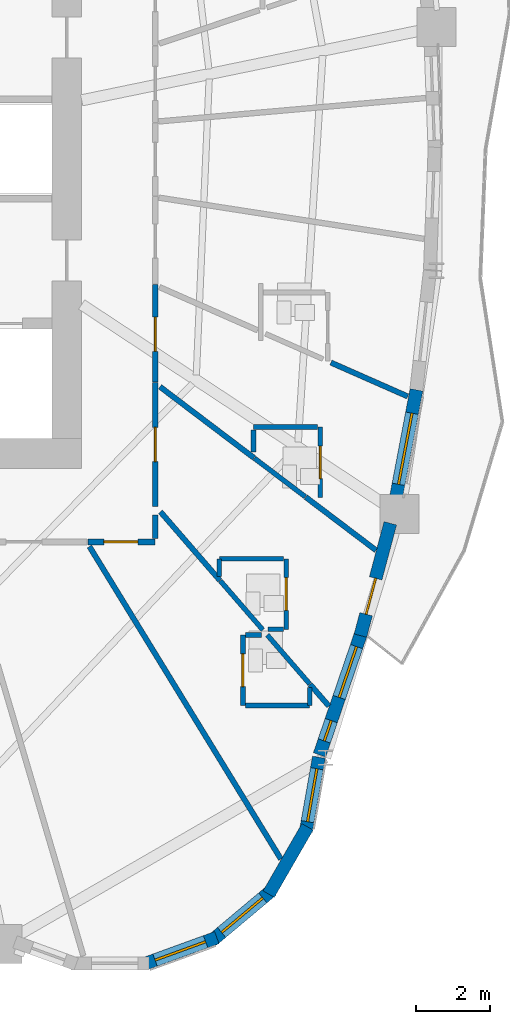
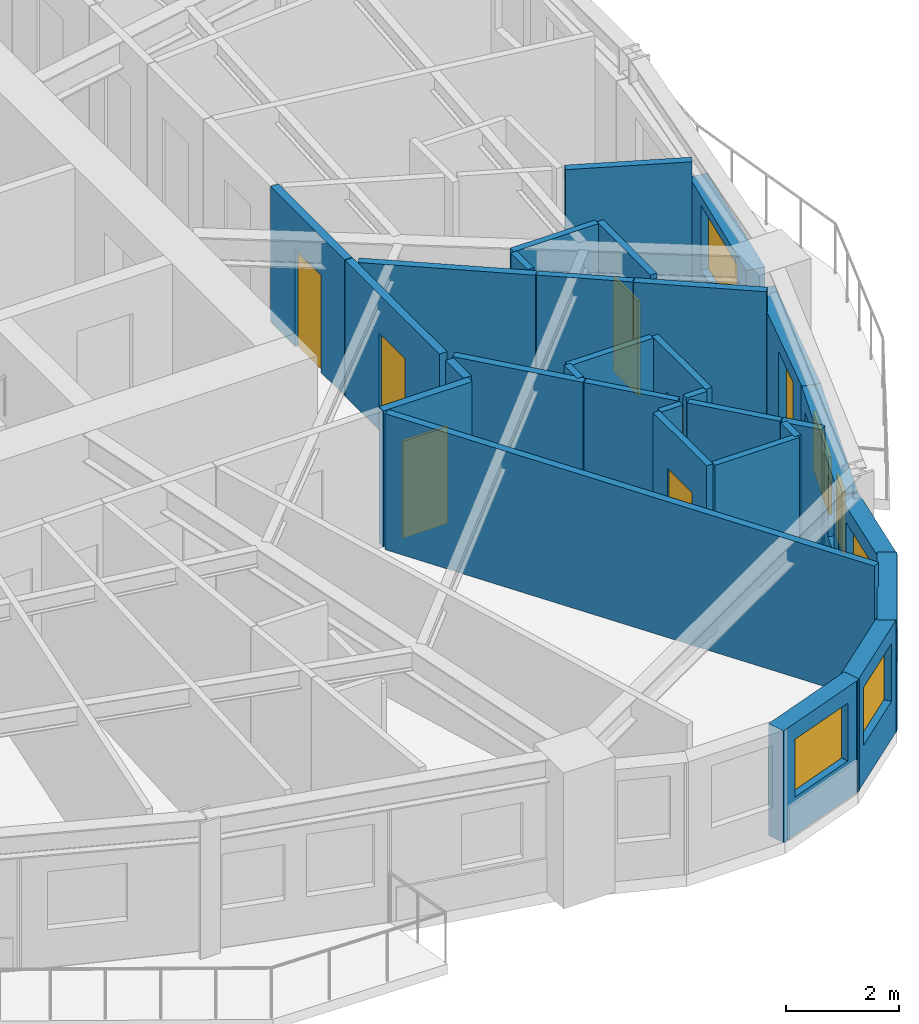
# One storey, part 6 of 13: 31 walls, 7 doors, 6 windows, 13 openings.
"""IFC4 building model written with IfcOpenShell, lengths in metres."""

from ifc_helpers import new_model, si_unit, direction, frame, frame_2d, origin, place, context, subcontext, project, spatial, rectangle, extrude, source, transform, mapped, material, layer, layer_set, type_object, element, fill, save


model = new_model("IFC4")

# Units and contexts
model_context = context("Model", 3, precision=1e-05, world=origin(), true_north=direction((0.0, 1.0)))
body_context = subcontext(model_context, "Body", "Model", "MODEL_VIEW")
ifc_project = project(units=[si_unit("LENGTHUNIT", "METRE"), si_unit("AREAUNIT", "SQUARE_METRE"), si_unit("VOLUMEUNIT", "CUBIC_METRE"), si_unit("PLANEANGLEUNIT", "RADIAN"), si_unit("MASSUNIT", "GRAM", prefix="KILO")], contexts=[model_context])

# Site, building, storey
site_placement = place(None, origin())
site = spatial("IfcSite", under=ifc_project, at=site_placement, CompositionType="ELEMENT")
building_placement = place(site_placement, origin())
building = spatial("IfcBuilding", under=site, at=building_placement, Name="Qafzar Sky-Pleat Residences", CompositionType="ELEMENT")
storey_placement = place(building_placement, frame((0.0, 0.0, 55.800048828125)))
storey = spatial("IfcBuildingStorey", under=building, at=storey_placement, Name="L16", CompositionType="ELEMENT", Elevation=55.800048828125)

# Wall, opening, door
ifc_material_1 = material(Name="Acoustic gypsum plasterboard partition", Category="gypsum")
ifc_layer_1 = layer(ifc_material_1, 0.159912109375)
ifc_layer_set_1 = layer_set([ifc_layer_1], Name="Acoustic gypsum plasterboard partition")
wall_type_1 = type_object("IfcWallType", Name="PART-COR-160", PredefinedType="PARTITIONING", material=ifc_layer_set_1)
wall_1_placement = place(storey_placement, frame((38.679931640625, 19.712890625, 0.0), z_axis=(0.0, 0.0, 1.0), x_axis=(0.0, -1.0, 0.0)))
wall_1 = element("IfcWall", 1, at=wall_1_placement, inside=storey, type_object=wall_type_1, Name="L16 Partition Wall PART-L16-PW-008", PredefinedType="PARTITIONING", context=body_context, shape_type="SweptSolid", body=[
    extrude(rectangle(XDim=3.343994140625, YDim=0.159912109375, at=frame_2d((1.671875, 0.0))), origin(), (0.0, 0.0, 1.0), 2.93994140625),
])
opening_1_placement = place(wall_1_placement, frame((1.2099609375, 0.0, 0.0)))
opening_1 = element("IfcOpeningElement", 2, at=opening_1_placement, cuts=wall_1, Name="Opening ID-04", PredefinedType="OPENING", context=body_context, shape_type="SweptSolid", body=[
    extrude(rectangle(XDim=0.919921875, YDim=2.10009765625, at=frame_2d((0.4599609375, 1.050048828125))), frame((0.0, 0.08984375, 0.0), z_axis=(0.0, -1.0, 0.0), x_axis=(1.0, 0.0, 0.0)), (0.0, 0.0, 1.0), 0.179931640625),
])
ifc_material_2 = material(Name="Timber-faced fire door", Category="wood")
door_type_1 = type_object("IfcDoorType", Name="DR-BED-920", OperationType="NOTDEFINED", PredefinedType="DOOR", material=ifc_material_2)
shared_shape_1 = source(origin(), body_context, "Body", "SweptSolid", [
    extrude(rectangle(XDim=0.919921875, YDim=2.10009765625, at=frame_2d((0.4599609375, 1.050048828125))), frame((0.0, 0.02490234375, 0.0), z_axis=(0.0, -1.0, 0.0), x_axis=(1.0, 0.0, 0.0)), (0.0, 0.0, 1.0), 0.050048828125),
])
door_1_placement = place(opening_1_placement, origin())
door_1 = element("IfcDoor", 3, at=door_1_placement, inside=storey, type_object=door_type_1, Name="L16 Co-Living Bedroom 2 Door", OperationType="SINGLE_SWING_RIGHT", OverallHeight=2.10009765625, OverallWidth=0.919921875, PredefinedType="DOOR", context=body_context, shape_type="MappedRepresentation", body=[
    mapped(shared_shape_1, transform((0.0, 0.0, 0.0), x_axis=(1.0, 0.0, 0.0), y_axis=(0.0, 1.0, 0.0), z_axis=(0.0, 0.0, 1.0), scale=1.0)),
])
fill(opening_1, door_1)

wall_2_placement = place(storey_placement, frame((38.679931640625, 22.347900390625, 0.0), z_axis=(0.0, 0.0, 1.0), x_axis=(0.0, -1.0, 0.0)))
wall_2 = element("IfcWall", 4, at=wall_2_placement, inside=storey, type_object=wall_type_1, Name="L16 Partition Wall PART-L16-PW-013", PredefinedType="PARTITIONING", context=body_context, shape_type="SweptSolid", body=[
    extrude(rectangle(XDim=2.619873046875, YDim=0.159912109375, at=frame_2d((1.31005859375, 0.0))), origin(), (0.0, 0.0, 1.0), 2.93994140625),
])
opening_2_placement = place(wall_2_placement, frame((0.87548828125, 0.0, 0.0)))
opening_2 = element("IfcOpeningElement", 5, at=opening_2_placement, cuts=wall_2, Name="Opening ID-04", PredefinedType="OPENING", context=body_context, shape_type="SweptSolid", body=[
    extrude(rectangle(XDim=0.919921875, YDim=2.10009765625, at=frame_2d((0.4599609375, 1.050048828125))), frame((0.0, 0.08984375, 0.0), z_axis=(0.0, -1.0, 0.0), x_axis=(1.0, 0.0, 0.0)), (0.0, 0.0, 1.0), 0.179931640625),
])
door_2_placement = place(opening_2_placement, origin())
door_2 = element("IfcDoor", 6, at=door_2_placement, inside=storey, type_object=door_type_1, Name="L16 Co-Living Bedroom 3 Door", OperationType="SINGLE_SWING_LEFT", OverallHeight=2.10009765625, OverallWidth=0.919921875, PredefinedType="DOOR", context=body_context, shape_type="MappedRepresentation", body=[
    mapped(shared_shape_1, transform((0.0, 0.0, 0.0), x_axis=(1.0, 0.0, 0.0), y_axis=(0.0, 1.0, 0.0), z_axis=(0.0, 0.0, 1.0), scale=1.0)),
])
fill(opening_2, door_2)

wall_3_placement = place(storey_placement, frame((38.679931640625, 15.419921875, 0.0), z_axis=(0.0, 0.0, 1.0), x_axis=(-1.0, 0.0, 0.0)))
wall_3 = element("IfcWall", 7, at=wall_3_placement, inside=storey, type_object=wall_type_1, Name="L16 Partition Wall PART-L16-PW-027", PredefinedType="PARTITIONING", context=body_context, shape_type="SweptSolid", body=[
    extrude(rectangle(XDim=1.81591796875, YDim=0.159912109375, at=frame_2d((0.907958984375, 0.0))), origin(), (0.0, 0.0, 1.0), 2.93994140625),
])
opening_3_placement = place(wall_3_placement, frame((0.464111328125, 0.0, 0.0)))
opening_3 = element("IfcOpeningElement", 8, at=opening_3_placement, cuts=wall_3, Name="Opening ID-04", PredefinedType="OPENING", context=body_context, shape_type="SweptSolid", body=[
    extrude(rectangle(XDim=0.919921875, YDim=2.10009765625, at=frame_2d((0.4599609375, 1.050048828125))), frame((0.0, 0.08984375, 0.0), z_axis=(0.0, -1.0, 0.0), x_axis=(1.0, 0.0, 0.0)), (0.0, 0.0, 1.0), 0.179931640625),
])
door_3_placement = place(opening_3_placement, origin())
door_3 = element("IfcDoor", 9, at=door_3_placement, inside=storey, type_object=door_type_1, Name="L16 Co-Living Bedroom 1 Door", OperationType="SINGLE_SWING_LEFT", OverallHeight=2.10009765625, OverallWidth=0.919921875, PredefinedType="DOOR", context=body_context, shape_type="MappedRepresentation", body=[
    mapped(shared_shape_1, transform((0.0, 0.0, 0.0), x_axis=(1.0, 0.0, 0.0), y_axis=(0.0, 1.0, 0.0), z_axis=(0.0, 0.0, 1.0), scale=1.0)),
])
fill(opening_3, door_3)

# Walls
wall_4_placement = place(storey_placement, frame((38.679931640625, 15.508056640625, 0.0), z_axis=(0.0, 0.0, 1.0), x_axis=(0.0, 1.0, 0.0)))
element("IfcWall", 10, at=wall_4_placement, inside=storey, type_object=wall_type_1, Name="L16 Partition Wall PART-L16-PW-084", PredefinedType="PARTITIONING", context=body_context, shape_type="SweptSolid", body=[
    extrude(rectangle(XDim=0.635009765625, YDim=0.159912109375, at=frame_2d((0.3173828125, 0.0))), origin(), (0.0, 0.0, 1.0), 2.93994140625),
])
ifc_layer_2 = layer(ifc_material_1, 0.14501953125)
ifc_layer_set_2 = layer_set([ifc_layer_2], Name="Acoustic gypsum plasterboard partition")
wall_type_2 = type_object("IfcWallType", Name="PART-UNIT-145", PredefinedType="PARTITIONING", material=ifc_layer_set_2)
wall_5_placement = place(storey_placement, frame((36.908447265625, 15.29541015625, 0.0), z_axis=(0.0, 0.0, 1.0), x_axis=(0.522407183079, -0.852696156358, 0.0)))
element("IfcWall", 11, at=wall_5_placement, inside=storey, type_object=wall_type_2, Name="L16 Partition Wall PART-L16-PW-038", PredefinedType="PARTITIONING", context=body_context, shape_type="SweptSolid", body=[
    extrude(rectangle(XDim=9.8701171875, YDim=0.14501953125, at=frame_2d((4.93505859375, 0.0))), origin(), (0.0, 0.0, 1.0), 2.93994140625),
])
wall_6_placement = place(storey_placement, frame((38.81005859375, 19.595458984375, 0.0), z_axis=(0.0, 0.0, 1.0), x_axis=(0.797304275437, -0.603577577756, 0.0)))
element("IfcWall", 12, at=wall_6_placement, inside=storey, type_object=wall_type_2, Name="L16 Partition Wall PART-L16-PW-052", PredefinedType="PARTITIONING", context=body_context, shape_type="SweptSolid", body=[
    extrude(rectangle(XDim=3.172119140625, YDim=0.14501953125, at=frame_2d((1.5859375, 0.0))), origin(), (0.0, 0.0, 1.0), 2.93994140625),
])
wall_7_placement = place(storey_placement, frame((38.820068359375, 16.23046875, 0.0), z_axis=(0.0, 0.0, 1.0), x_axis=(0.655037088123, -0.755596726556, 0.0)))
element("IfcWall", 13, at=wall_7_placement, inside=storey, type_object=wall_type_2, Name="L16 Partition Wall PART-L16-PW-055", PredefinedType="PARTITIONING", context=body_context, shape_type="SweptSolid", body=[
    extrude(rectangle(XDim=2.4423828125, YDim=0.14501953125, at=frame_2d((1.22119140625, 0.0))), origin(), (0.0, 0.0, 1.0), 2.93994140625),
])
wall_8_placement = place(storey_placement, frame((43.40966796875, 20.248291015625, 0.0), z_axis=(0.0, 0.0, 1.0), x_axis=(0.915032786041, -0.403379474527, 0.0)))
element("IfcWall", 14, at=wall_8_placement, inside=storey, type_object=wall_type_2, Name="L16 Partition Wall PART-L16-PW-057", PredefinedType="PARTITIONING", context=body_context, shape_type="SweptSolid", body=[
    extrude(rectangle(XDim=2.25927734375, YDim=0.14501953125, at=frame_2d((1.129638671875, 0.0))), origin(), (0.0, 0.0, 1.0), 2.93994140625),
])
wall_9_placement = place(storey_placement, frame((42.73291015625, 16.6259765625, 0.0), z_axis=(0.0, 0.0, 1.0), x_axis=(0.797372907097, -0.603486907089, 0.0)))
element("IfcWall", 15, at=wall_9_placement, inside=storey, type_object=wall_type_2, Name="L16 Partition Wall PART-L16-PW-058", PredefinedType="PARTITIONING", context=body_context, shape_type="SweptSolid", body=[
    extrude(rectangle(XDim=2.37109375, YDim=0.14501953125, at=frame_2d((1.185546875, 0.0))), origin(), (0.0, 0.0, 1.0), 2.93994140625),
])
wall_10_placement = place(storey_placement, frame((42.848876953125, 11.583740234375, 0.0), z_axis=(0.0, 0.0, 1.0), x_axis=(0.655530542193, -0.755168662123, 0.0)))
element("IfcWall", 16, at=wall_10_placement, inside=storey, type_object=wall_type_2, Name="L16 Partition Wall PART-L16-PW-086", PredefinedType="PARTITIONING", context=body_context, shape_type="SweptSolid", body=[
    extrude(rectangle(XDim=0.774169921875, YDim=0.14501953125, at=frame_2d((0.38720703125, 0.0))), origin(), (0.0, 0.0, 1.0), 2.93994140625),
])

# Wall, opening, door
ifc_material_3 = material(Name="Moisture-resistant gypsum partition", Category="gypsum")
ifc_layer_3 = layer(ifc_material_3, 0.1298828125)
ifc_layer_set_3 = layer_set([ifc_layer_3], Name="Moisture-resistant gypsum partition")
wall_type_3 = type_object("IfcWallType", Name="PART-WET-130", PredefinedType="PARTITIONING", material=ifc_layer_set_3)
wall_11_placement = place(storey_placement, frame((41.0390625, 12.9140625, 0.0), z_axis=(0.0, 0.0, 1.0), x_axis=(0.0, -1.0, 0.0)))
wall_11 = element("IfcWall", 17, at=wall_11_placement, inside=storey, type_object=wall_type_3, Name="L16 Partition Wall PART-L16-PW-020", PredefinedType="PARTITIONING", context=body_context, shape_type="SweptSolid", body=[
    extrude(rectangle(XDim=1.900146484375, YDim=0.1298828125, at=frame_2d((0.9501953125, 0.0))), origin(), (0.0, 0.0, 1.0), 2.93994140625),
])
opening_4_placement = place(wall_11_placement, frame((0.510009765625, 0.0, 0.0)))
opening_4 = element("IfcOpeningElement", 18, at=opening_4_placement, cuts=wall_11, Name="Opening ID-07", PredefinedType="OPENING", context=body_context, shape_type="SweptSolid", body=[
    extrude(rectangle(XDim=0.8798828125, YDim=2.050048828125, at=frame_2d((0.43994140625, 1.02490234375))), frame((0.0, 0.074951171875, 0.0), z_axis=(0.0, -1.0, 0.0), x_axis=(1.0, 0.0, 0.0)), (0.0, 0.0, 1.0), 0.14990234375),
])
door_type_2 = type_object("IfcDoorType", Name="DR-WET-880", OperationType="NOTDEFINED", PredefinedType="DOOR", material=ifc_material_2)
shared_shape_2 = source(origin(), body_context, "Body", "SweptSolid", [
    extrude(rectangle(XDim=0.8798828125, YDim=2.050048828125, at=frame_2d((0.43994140625, 1.02490234375))), frame((0.0, 0.02490234375, 0.0), z_axis=(0.0, -1.0, 0.0), x_axis=(1.0, 0.0, 0.0)), (0.0, 0.0, 1.0), 0.050048828125),
])
door_4_placement = place(opening_4_placement, origin())
door_4 = element("IfcDoor", 19, at=door_4_placement, inside=storey, type_object=door_type_2, Name="L16 En-suite Bathroom 1 Door", OperationType="SINGLE_SWING_RIGHT", OverallHeight=2.050048828125, OverallWidth=0.8798828125, PredefinedType="DOOR", context=body_context, shape_type="MappedRepresentation", body=[
    mapped(shared_shape_2, transform((0.0, 0.0, 0.0), x_axis=(1.0, 0.0, 0.0), y_axis=(0.0, 1.0, 0.0), z_axis=(0.0, 0.0, 1.0), scale=1.0)),
])
fill(opening_4, door_4)

wall_12_placement = place(storey_placement, frame((42.205078125, 13.06591796875, 0.0), z_axis=(0.0, 0.0, 1.0), x_axis=(0.0, 1.0, 0.0)))
wall_12 = element("IfcWall", 20, at=wall_12_placement, inside=storey, type_object=wall_type_3, Name="L16 Partition Wall PART-L16-PW-022", PredefinedType="PARTITIONING", context=body_context, shape_type="SweptSolid", body=[
    extrude(rectangle(XDim=1.900146484375, YDim=0.1298828125, at=frame_2d((0.9501953125, 0.0))), origin(), (0.0, 0.0, 1.0), 2.93994140625),
])
opening_5_placement = place(wall_12_placement, frame((0.510009765625, 0.0, 0.0)))
opening_5 = element("IfcOpeningElement", 21, at=opening_5_placement, cuts=wall_12, Name="Opening ID-07", PredefinedType="OPENING", context=body_context, shape_type="SweptSolid", body=[
    extrude(rectangle(XDim=0.8798828125, YDim=2.050048828125, at=frame_2d((0.43994140625, 1.02490234375))), frame((0.0, 0.074951171875, 0.0), z_axis=(0.0, -1.0, 0.0), x_axis=(1.0, 0.0, 0.0)), (0.0, 0.0, 1.0), 0.14990234375),
])
door_5_placement = place(opening_5_placement, origin())
door_5 = element("IfcDoor", 22, at=door_5_placement, inside=storey, type_object=door_type_2, Name="L16 En-suite Bathroom 2 Door", OperationType="SINGLE_SWING_RIGHT", OverallHeight=2.050048828125, OverallWidth=0.8798828125, PredefinedType="DOOR", context=body_context, shape_type="MappedRepresentation", body=[
    mapped(shared_shape_2, transform((0.0, 0.0, 0.0), x_axis=(1.0, 0.0, 0.0), y_axis=(0.0, 1.0, 0.0), z_axis=(0.0, 0.0, 1.0), scale=1.0)),
])
fill(opening_5, door_5)

wall_13_placement = place(storey_placement, frame((43.1240234375, 16.611083984375, 0.0), z_axis=(0.0, 0.0, 1.0), x_axis=(0.0, 1.0, 0.0)))
wall_13 = element("IfcWall", 23, at=wall_13_placement, inside=storey, type_object=wall_type_3, Name="L16 Partition Wall PART-L16-PW-023", PredefinedType="PARTITIONING", context=body_context, shape_type="SweptSolid", body=[
    extrude(rectangle(XDim=1.89990234375, YDim=0.1298828125, at=frame_2d((0.949951171875, 0.0))), origin(), (0.0, 0.0, 1.0), 2.93994140625),
])
opening_6_placement = place(wall_13_placement, frame((0.510009765625, 0.0, 0.0)))
opening_6 = element("IfcOpeningElement", 24, at=opening_6_placement, cuts=wall_13, Name="Opening ID-07", PredefinedType="OPENING", context=body_context, shape_type="SweptSolid", body=[
    extrude(rectangle(XDim=0.8798828125, YDim=2.050048828125, at=frame_2d((0.43994140625, 1.02490234375))), frame((0.0, 0.074951171875, 0.0), z_axis=(0.0, -1.0, 0.0), x_axis=(1.0, 0.0, 0.0)), (0.0, 0.0, 1.0), 0.14990234375),
])
door_6_placement = place(opening_6_placement, origin())
door_6 = element("IfcDoor", 25, at=door_6_placement, inside=storey, type_object=door_type_2, Name="L16 En-suite Bathroom 3 Door", OperationType="SINGLE_SWING_LEFT", OverallHeight=2.050048828125, OverallWidth=0.8798828125, PredefinedType="DOOR", context=body_context, shape_type="MappedRepresentation", body=[
    mapped(shared_shape_2, transform((0.0, 0.0, 0.0), x_axis=(1.0, 0.0, 0.0), y_axis=(0.0, 1.0, 0.0), z_axis=(0.0, 0.0, 1.0), scale=1.0)),
])
fill(opening_6, door_6)

# Walls
for number, where, z_axis, x_axis, name in (
    (26, (41.323974609375, 18.510986328125, 0.0), (0.0, 0.0, 1.0), (1.0, 0.0, 0.0), "L16 Partition Wall PART-L16-PW-064"),
    (27, (41.112060546875, 11.013916015625, 0.0), (0.0, 0.0, 1.0), (1.0, 0.0, 0.0), "L16 Partition Wall PART-L16-PW-068"),
    (28, (40.405029296875, 14.966064453125, 0.0), (0.0, 0.0, 1.0), (1.0, 0.0, 0.0), "L16 Partition Wall PART-L16-PW-069"),
):
    element("IfcWall", number, at=place(storey_placement, frame(where, z_axis=z_axis, x_axis=x_axis)), inside=storey, type_object=wall_type_3, Name=name, PredefinedType="PARTITIONING", context=body_context, shape_type="SweptSolid", body=[
        extrude(rectangle(XDim=1.72705078125, YDim=0.1298828125, at=frame_2d((0.863525390625, 0.0))), origin(), (0.0, 0.0, 1.0), 2.93994140625),
    ])
wall_14_placement = place(storey_placement, frame((40.429931640625, 14.373779296875, 0.0), z_axis=(0.0, 0.0, 1.0), x_axis=(0.655121637619, -0.755523421162, 0.0)))
element("IfcWall", 29, at=wall_14_placement, inside=storey, type_object=wall_type_3, Name="L16 Partition Wall PART-L16-PW-073", PredefinedType="PARTITIONING", context=body_context, shape_type="SweptSolid", body=[
    extrude(rectangle(XDim=1.750732421875, YDim=0.1298828125, at=frame_2d((0.87548828125, 0.0))), origin(), (0.0, 0.0, 1.0), 2.93994140625),
])
wall_15_placement = place(storey_placement, frame((41.696044921875, 12.9140625, 0.0), z_axis=(0.0, 0.0, 1.0), x_axis=(0.654882611276, -0.755730616985, 0.0)))
element("IfcWall", 30, at=wall_15_placement, inside=storey, type_object=wall_type_3, Name="L16 Partition Wall PART-L16-PW-074", PredefinedType="PARTITIONING", context=body_context, shape_type="SweptSolid", body=[
    extrude(rectangle(XDim=1.745361328125, YDim=0.1298828125, at=frame_2d((0.87255859375, 0.0))), origin(), (0.0, 0.0, 1.0), 2.93994140625),
])
wall_16_placement = place(storey_placement, frame((41.35107421875, 17.672119140625, 0.0), z_axis=(0.0, 0.0, 1.0), x_axis=(0.797400841938, -0.603449995672, 0.0)))
element("IfcWall", 31, at=wall_16_placement, inside=storey, type_object=wall_type_3, Name="L16 Partition Wall PART-L16-PW-075", PredefinedType="PARTITIONING", context=body_context, shape_type="SweptSolid", body=[
    extrude(rectangle(XDim=1.71826171875, YDim=0.1298828125, at=frame_2d((0.859130859375, 0.0))), origin(), (0.0, 0.0, 1.0), 2.93994140625),
])
wall_17_placement = place(storey_placement, frame((41.323974609375, 17.841064453125, 0.0), z_axis=(0.0, 0.0, 1.0), x_axis=(0.0, 1.0, 0.0)))
element("IfcWall", 32, at=wall_17_placement, inside=storey, type_object=wall_type_3, Name="L16 Partition Wall PART-L16-PW-085", PredefinedType="PARTITIONING", context=body_context, shape_type="SweptSolid", body=[
    extrude(rectangle(XDim=0.596923828125, YDim=0.1298828125, at=frame_2d((0.29833984375, 0.0))), origin(), (0.0, 0.0, 1.0), 2.93994140625),
])
wall_18_placement = place(storey_placement, frame((41.112060546875, 12.9140625, 0.0), z_axis=(0.0, 0.0, 1.0), x_axis=(1.0, 0.0, 0.0)))
element("IfcWall", 33, at=wall_18_placement, inside=storey, type_object=wall_type_3, Name="L16 Partition Wall PART-L16-PW-087", PredefinedType="PARTITIONING", context=body_context, shape_type="SweptSolid", body=[
    extrude(rectangle(XDim=0.43359375, YDim=0.1298828125, at=frame_2d((0.216796875, 0.0))), origin(), (0.0, 0.0, 1.0), 2.93994140625),
])
wall_19_placement = place(storey_placement, frame((41.71435546875, 13.06591796875, 0.0), z_axis=(0.0, 0.0, 1.0), x_axis=(1.0, 0.0, 0.0)))
element("IfcWall", 34, at=wall_19_placement, inside=storey, type_object=wall_type_3, Name="L16 Partition Wall PART-L16-PW-088", PredefinedType="PARTITIONING", context=body_context, shape_type="SweptSolid", body=[
    extrude(rectangle(XDim=0.417724609375, YDim=0.1298828125, at=frame_2d((0.208984375, 0.0))), origin(), (0.0, 0.0, 1.0), 2.93994140625),
])
wall_20_placement = place(storey_placement, frame((42.839111328125, 11.013916015625, 0.0), z_axis=(0.0, 0.0, 1.0), x_axis=(0.0, 1.0, 0.0)))
element("IfcWall", 35, at=wall_20_placement, inside=storey, type_object=wall_type_3, Name="L16 Partition Wall PART-L16-PW-089", PredefinedType="PARTITIONING", context=body_context, shape_type="SweptSolid", body=[
    extrude(rectangle(XDim=0.490966796875, YDim=0.1298828125, at=frame_2d((0.24560546875, 0.0))), origin(), (0.0, 0.0, 1.0), 2.93994140625),
])
wall_21_placement = place(storey_placement, frame((40.405029296875, 14.492919921875, 0.0), z_axis=(0.0, 0.0, 1.0), x_axis=(0.0, 1.0, 0.0)))
element("IfcWall", 36, at=wall_21_placement, inside=storey, type_object=wall_type_3, Name="L16 Partition Wall PART-L16-PW-090", PredefinedType="PARTITIONING", context=body_context, shape_type="SweptSolid", body=[
    extrude(rectangle(XDim=0.47314453125, YDim=0.1298828125, at=frame_2d((0.236572265625, 0.0))), origin(), (0.0, 0.0, 1.0), 2.93994140625),
])

# Wall, opening, window
ifc_material_4 = material(Name="Precast concrete C40/50 with honed Riyadh limestone", Category="concrete")
ifc_layer_4 = layer(ifc_material_4, 0.35009765625)
ifc_layer_set_4 = layer_set([ifc_layer_4], Name="Precast concrete C40/50 with honed Riyadh limestone")
wall_type_4 = type_object("IfcWallType", Name="WALL-EXT-350", PredefinedType="SOLIDWALL", material=ifc_layer_set_4)
wall_22_placement = place(storey_placement, frame((38.3740234375, 4.050048828125, 0.0), z_axis=(0.0, 0.0, 1.0), x_axis=(0.939711556618, 0.341968113072, 0.0)))
wall_22 = element("IfcWall", 37, at=wall_22_placement, inside=storey, type_object=wall_type_4, Name="L16 Limestone Facade Wall 19", PredefinedType="SOLIDWALL", context=body_context, shape_type="SweptSolid", body=[
    extrude(rectangle(XDim=2.09033203125, YDim=0.35009765625, at=frame_2d((1.045166015625, 0.0))), origin(), (0.0, 0.0, 1.0), 2.419921875),
])
opening_7_placement = place(wall_22_placement, frame((0.320068359375, 0.0, 0.820068359375)))
opening_7 = element("IfcOpeningElement", 38, at=opening_7_placement, cuts=wall_22, Name="Opening WN-15", PredefinedType="OPENING", context=body_context, shape_type="SweptSolid", body=[
    extrude(rectangle(XDim=1.449951171875, YDim=1.25, at=frame_2d((0.72509765625, 0.625))), frame((0.0, 0.18505859375, 0.0), z_axis=(0.0, -1.0, 0.0), x_axis=(1.0, 0.0, 0.0)), (0.0, 0.0, 1.0), 0.3701171875),
])
ifc_material_5 = material(Name="Solar-control low-E glass in bronze aluminium frame", Category="glass")
window_type_1 = type_object("IfcWindowType", Name="WIN-15", PartitioningType="SINGLE_PANEL", PredefinedType="WINDOW", material=ifc_material_5)
shared_shape_3 = source(origin(), body_context, "Body", "SweptSolid", [
    extrude(rectangle(XDim=1.449951171875, YDim=1.25, at=frame_2d((0.72509765625, 0.625))), frame((0.0, 0.030029296875, 0.0), z_axis=(0.0, -1.0, 0.0), x_axis=(1.0, 0.0, 0.0)), (0.0, 0.0, 1.0), 0.06005859375),
])
window_1_placement = place(opening_7_placement, origin())
window_1 = element("IfcWindow", 39, at=window_1_placement, inside=storey, type_object=window_type_1, Name="L16 Punched Facade Window 19", OverallHeight=1.25, OverallWidth=1.449951171875, PartitioningType="SINGLE_PANEL", PredefinedType="WINDOW", context=body_context, shape_type="MappedRepresentation", body=[
    mapped(shared_shape_3, transform((0.0, 0.0, 0.0), x_axis=(1.0, 0.0, 0.0), y_axis=(0.0, 1.0, 0.0), z_axis=(0.0, 0.0, 1.0), scale=1.0)),
])
fill(opening_7, window_1)

wall_23_placement = place(storey_placement, frame((40.220947265625, 4.697021484375, 0.0), z_axis=(0.0, 0.0, 1.0), x_axis=(0.766024572719, 0.642811289563, 0.0)))
wall_23 = element("IfcWall", 40, at=wall_23_placement, inside=storey, type_object=wall_type_4, Name="L16 Limestone Facade Wall 20", PredefinedType="SOLIDWALL", context=body_context, shape_type="SweptSolid", body=[
    extrude(rectangle(XDim=2.09033203125, YDim=0.35009765625, at=frame_2d((1.045166015625, 0.0))), origin(), (0.0, 0.0, 1.0), 2.419921875),
])
opening_8_placement = place(wall_23_placement, frame((0.3203125, 0.0, 0.820068359375)))
opening_8 = element("IfcOpeningElement", 41, at=opening_8_placement, cuts=wall_23, Name="Opening WN-15", PredefinedType="OPENING", context=body_context, shape_type="SweptSolid", body=[
    extrude(rectangle(XDim=1.449951171875, YDim=1.25, at=frame_2d((0.72509765625, 0.625))), frame((0.0, 0.18505859375, 0.0), z_axis=(0.0, -1.0, 0.0), x_axis=(1.0, 0.0, 0.0)), (0.0, 0.0, 1.0), 0.3701171875),
])
window_2_placement = place(opening_8_placement, origin())
window_2 = element("IfcWindow", 42, at=window_2_placement, inside=storey, type_object=window_type_1, Name="L16 Punched Facade Window 20", OverallHeight=1.25, OverallWidth=1.449951171875, PartitioningType="SINGLE_PANEL", PredefinedType="WINDOW", context=body_context, shape_type="MappedRepresentation", body=[
    mapped(shared_shape_3, transform((0.0, 0.0, 0.0), x_axis=(1.0, 0.0, 0.0), y_axis=(0.0, 1.0, 0.0), z_axis=(0.0, 0.0, 1.0), scale=1.0)),
])
fill(opening_8, window_2)

# Wall
wall_24_placement = place(storey_placement, frame((41.735107421875, 5.93701171875, 0.0), z_axis=(0.0, 0.0, 1.0), x_axis=(0.49990781971, 0.866078617559, 0.0)))
element("IfcWall", 43, at=wall_24_placement, inside=storey, type_object=wall_type_4, Name="L16 Limestone Facade Wall 21", PredefinedType="SOLIDWALL", context=body_context, shape_type="SweptSolid", body=[
    extrude(rectangle(XDim=2.09033203125, YDim=0.35009765625, at=frame_2d((1.045166015625, 0.0))), origin(), (0.0, 0.0, 1.0), 2.419921875),
])

# Wall, opening, window
wall_25_placement = place(storey_placement, frame((42.73388671875, 7.619873046875, 0.0), z_axis=(0.0, 0.0, 1.0), x_axis=(0.173607131876, 0.984814989611, 0.0)))
wall_25 = element("IfcWall", 44, at=wall_25_placement, inside=storey, type_object=wall_type_4, Name="L16 Limestone Facade Wall 22", PredefinedType="SOLIDWALL", context=body_context, shape_type="SweptSolid", body=[
    extrude(rectangle(XDim=2.031982421875, YDim=0.35009765625, at=frame_2d((1.01611328125, 0.0))), origin(), (0.0, 0.0, 1.0), 2.419921875),
])
opening_9_placement = place(wall_25_placement, frame((0.27001953125, 0.0, 0.820068359375)))
opening_9 = element("IfcOpeningElement", 45, at=opening_9_placement, cuts=wall_25, Name="Opening WN-15", PredefinedType="OPENING", context=body_context, shape_type="SweptSolid", body=[
    extrude(rectangle(XDim=1.449951171875, YDim=1.25, at=frame_2d((0.72509765625, 0.625))), frame((0.0, 0.18505859375, 0.0), z_axis=(0.0, -1.0, 0.0), x_axis=(1.0, 0.0, 0.0)), (0.0, 0.0, 1.0), 0.3701171875),
])
window_3_placement = place(opening_9_placement, origin())
window_3 = element("IfcWindow", 46, at=window_3_placement, inside=storey, type_object=window_type_1, Name="L16 Punched Facade Window 22", OverallHeight=1.25, OverallWidth=1.449951171875, PartitioningType="SINGLE_PANEL", PredefinedType="WINDOW", context=body_context, shape_type="MappedRepresentation", body=[
    mapped(shared_shape_3, transform((0.0, 0.0, 0.0), x_axis=(1.0, 0.0, 0.0), y_axis=(0.0, 1.0, 0.0), z_axis=(0.0, 0.0, 1.0), scale=1.0)),
])
fill(opening_9, window_3)

# Wall, openings, windows
wall_26_placement = place(storey_placement, frame((43.103515625, 9.68603515625, 0.0), z_axis=(0.0, 0.0, 1.0), x_axis=(0.323558843572, 0.946208050455, 0.0)))
wall_26 = element("IfcWall", 47, at=wall_26_placement, inside=storey, type_object=wall_type_4, Name="L16 Limestone Facade Wall 23", PredefinedType="SOLIDWALL", context=body_context, shape_type="SweptSolid", body=[
    extrude(rectangle(XDim=3.482177734375, YDim=0.35009765625, at=frame_2d((1.7412109375, 0.0))), origin(), (0.0, 0.0, 1.0), 2.419921875),
])
opening_10_placement = place(wall_26_placement, frame((0.39599609375, 0.0, 0.820068359375)))
opening_10 = element("IfcOpeningElement", 48, at=opening_10_placement, cuts=wall_26, Name="Opening WN-17", PredefinedType="OPENING", context=body_context, shape_type="SweptSolid", body=[
    extrude(rectangle(XDim=0.580078125, YDim=1.35009765625, at=frame_2d((0.2900390625, 0.675048828125))), frame((0.0, 0.18505859375, 0.0), z_axis=(0.0, -1.0, 0.0), x_axis=(1.0, 0.0, 0.0)), (0.0, 0.0, 1.0), 0.3701171875),
])
opening_11_placement = place(wall_26_placement, frame((1.632080078125, 0.0, 0.820068359375)))
opening_11 = element("IfcOpeningElement", 49, at=opening_11_placement, cuts=wall_26, Name="Opening WN-15", PredefinedType="OPENING", context=body_context, shape_type="SweptSolid", body=[
    extrude(rectangle(XDim=1.449951171875, YDim=1.25, at=frame_2d((0.72509765625, 0.625))), frame((0.0, 0.18505859375, 0.0), z_axis=(0.0, -1.0, 0.0), x_axis=(1.0, 0.0, 0.0)), (0.0, 0.0, 1.0), 0.3701171875),
])
window_4_placement = place(opening_11_placement, origin())
window_4 = element("IfcWindow", 50, at=window_4_placement, inside=storey, type_object=window_type_1, Name="L16 Punched Facade Window 23-2", OverallHeight=1.25, OverallWidth=1.449951171875, PartitioningType="SINGLE_PANEL", PredefinedType="WINDOW", context=body_context, shape_type="MappedRepresentation", body=[
    mapped(shared_shape_3, transform((0.0, 0.0, 0.0), x_axis=(1.0, 0.0, 0.0), y_axis=(0.0, 1.0, 0.0), z_axis=(0.0, 0.0, 1.0), scale=1.0)),
])
fill(opening_11, window_4)
window_type_2 = type_object("IfcWindowType", Name="WIN-17", PartitioningType="SINGLE_PANEL", PredefinedType="WINDOW", material=ifc_material_5)
shared_shape_4 = source(origin(), body_context, "Body", "SweptSolid", [
    extrude(rectangle(XDim=0.580078125, YDim=1.35009765625, at=frame_2d((0.2900390625, 0.675048828125))), frame((0.0, 0.030029296875, 0.0), z_axis=(0.0, -1.0, 0.0), x_axis=(1.0, 0.0, 0.0)), (0.0, 0.0, 1.0), 0.06005859375),
])
window_5_placement = place(opening_10_placement, origin())
window_5 = element("IfcWindow", 51, at=window_5_placement, inside=storey, type_object=window_type_2, Name="L16 Punched Facade Window 23", OverallHeight=1.35009765625, OverallWidth=0.580078125, PartitioningType="SINGLE_PANEL", PredefinedType="WINDOW", context=body_context, shape_type="MappedRepresentation", body=[
    mapped(shared_shape_4, transform((0.0, 0.0, 0.0), x_axis=(1.0, 0.0, 0.0), y_axis=(0.0, 1.0, 0.0), z_axis=(0.0, 0.0, 1.0), scale=1.0)),
])
fill(opening_10, window_5)

# Wall, opening, door
wall_27_placement = place(storey_placement, frame((44.20458984375, 12.896728515625, 0.0), z_axis=(0.0, 0.0, 1.0), x_axis=(0.257099428233, 0.966384956424, 0.0)))
wall_27 = element("IfcWall", 52, at=wall_27_placement, inside=storey, type_object=wall_type_4, Name="L16 Limestone Facade Wall 24", PredefinedType="SOLIDWALL", context=body_context, shape_type="SweptSolid", body=[
    extrude(rectangle(XDim=3.1298828125, YDim=0.35009765625, at=frame_2d((1.56494140625, 0.0))), origin(), (0.0, 0.0, 1.0), 2.419921875),
])
opening_12_placement = place(wall_27_placement, frame((0.595458984375, 0.0, 0.0)))
opening_12 = element("IfcOpeningElement", 53, at=opening_12_placement, cuts=wall_27, Name="Opening ED-05", PredefinedType="OPENING", context=body_context, shape_type="SweptSolid", body=[
    extrude(rectangle(XDim=1.0, YDim=2.10009765625, at=frame_2d((0.5, 1.050048828125))), frame((0.0, 0.18505859375, 0.0), z_axis=(0.0, -1.0, 0.0), x_axis=(1.0, 0.0, 0.0)), (0.0, 0.0, 1.0), 0.3701171875),
])
ifc_material_6 = material(Name="Glazed bronze aluminium door", Category="aluminium")
door_type_3 = type_object("IfcDoorType", Name="DR-BAL-1000", OperationType="NOTDEFINED", PredefinedType="DOOR", material=ifc_material_6)
shared_shape_5 = source(origin(), body_context, "Body", "SweptSolid", [
    extrude(rectangle(XDim=1.0, YDim=2.10009765625, at=frame_2d((0.5, 1.050048828125))), frame((0.0, 0.02490234375, 0.0), z_axis=(0.0, -1.0, 0.0), x_axis=(1.0, 0.0, 0.0)), (0.0, 0.0, 1.0), 0.050048828125),
])
door_7_placement = place(opening_12_placement, origin())
door_7 = element("IfcDoor", 54, at=door_7_placement, inside=storey, type_object=door_type_3, Name="L16 Glazed Balcony Door 1", OperationType="SINGLE_SWING_LEFT", OverallHeight=2.10009765625, OverallWidth=1.0, PredefinedType="DOOR", context=body_context, shape_type="MappedRepresentation", body=[
    mapped(shared_shape_5, transform((0.0, 0.0, 0.0), x_axis=(1.0, 0.0, 0.0), y_axis=(0.0, 1.0, 0.0), z_axis=(0.0, 0.0, 1.0), scale=1.0)),
])
fill(opening_12, door_7)

# Wall, opening, window
wall_28_placement = place(storey_placement, frame((45.1396484375, 16.49365234375, 0.0), z_axis=(0.0, 0.0, 1.0), x_axis=(0.186608529586, 0.982434352354, 0.0)))
wall_28 = element("IfcWall", 55, at=wall_28_placement, inside=storey, type_object=wall_type_4, Name="L16 Limestone Facade Wall 25", PredefinedType="SOLIDWALL", context=body_context, shape_type="SweptSolid", body=[
    extrude(rectangle(XDim=3.074462890625, YDim=0.35009765625, at=frame_2d((1.537109375, 0.0))), origin(), (0.0, 0.0, 1.0), 2.419921875),
])
opening_13_placement = place(wall_28_placement, frame((0.484375, 0.0, 0.820068359375)))
opening_13 = element("IfcOpeningElement", 56, at=opening_13_placement, cuts=wall_28, Name="Opening WN-08", PredefinedType="OPENING", context=body_context, shape_type="SweptSolid", body=[
    extrude(rectangle(XDim=1.949951171875, YDim=1.39990234375, at=frame_2d((0.97509765625, 0.699951171875))), frame((0.0, 0.18505859375, 0.0), z_axis=(0.0, -1.0, 0.0), x_axis=(1.0, 0.0, 0.0)), (0.0, 0.0, 1.0), 0.3701171875),
])
window_type_3 = type_object("IfcWindowType", Name="WIN-08", PartitioningType="DOUBLE_PANEL_VERTICAL", PredefinedType="WINDOW", material=ifc_material_5)
shared_shape_6 = source(origin(), body_context, "Body", "SweptSolid", [
    extrude(rectangle(XDim=1.949951171875, YDim=1.39990234375, at=frame_2d((0.97509765625, 0.699951171875))), frame((0.0, 0.030029296875, 0.0), z_axis=(0.0, -1.0, 0.0), x_axis=(1.0, 0.0, 0.0)), (0.0, 0.0, 1.0), 0.06005859375),
])
window_6_placement = place(opening_13_placement, origin())
window_6 = element("IfcWindow", 57, at=window_6_placement, inside=storey, type_object=window_type_3, Name="L16 Punched Facade Window 25", OverallHeight=1.39990234375, OverallWidth=1.949951171875, PartitioningType="SINGLE_PANEL", PredefinedType="WINDOW", context=body_context, shape_type="MappedRepresentation", body=[
    mapped(shared_shape_6, transform((0.0, 0.0, 0.0), x_axis=(1.0, 0.0, 0.0), y_axis=(0.0, 1.0, 0.0), z_axis=(0.0, 0.0, 1.0), scale=1.0)),
])
fill(opening_13, window_6)

save(model, "model.ifc")
